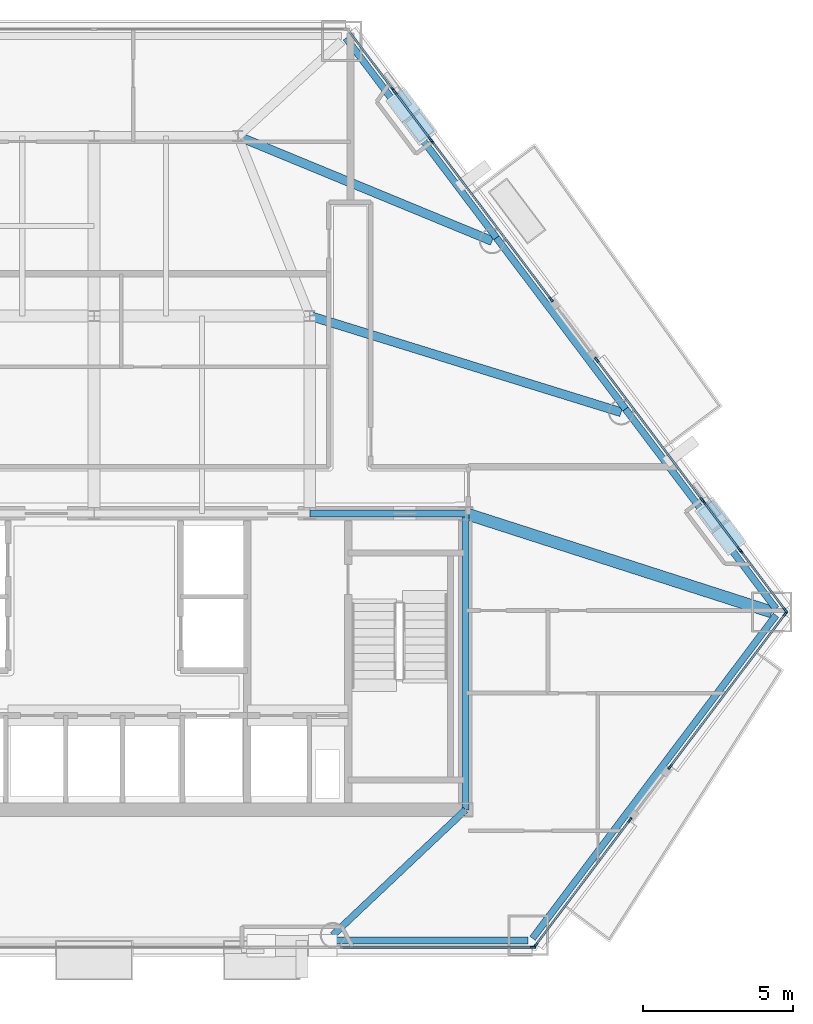
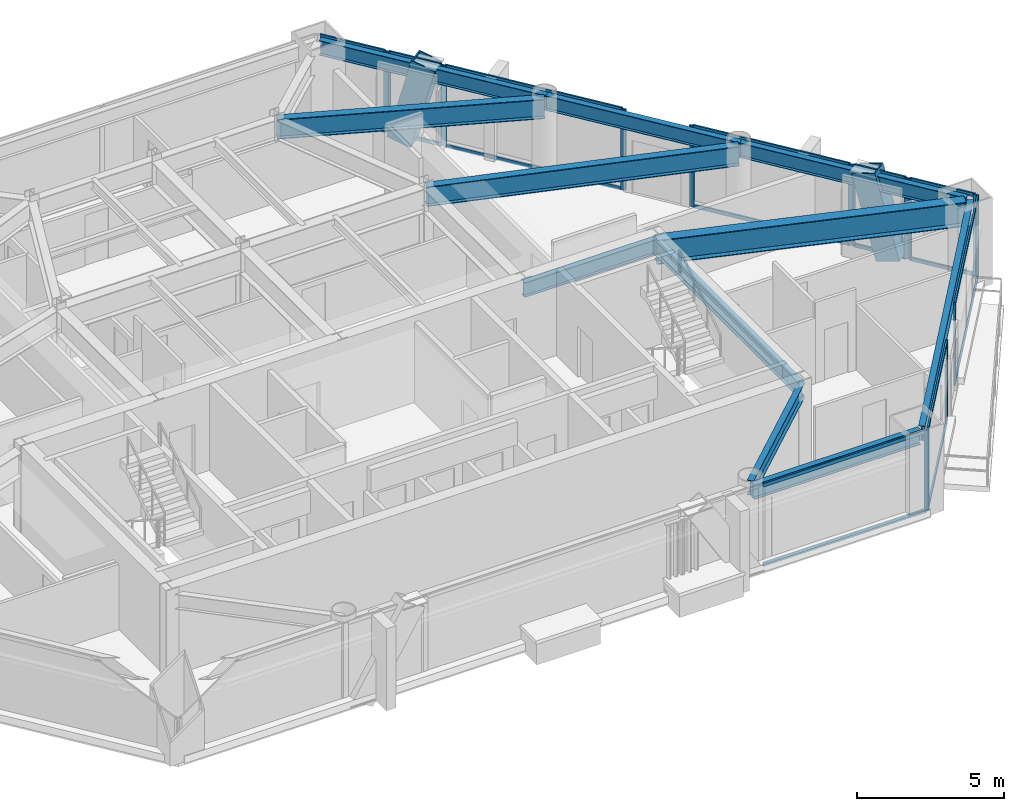
# One storey, part 4 of 11: 36 members, 11 beams, 9 elements without a shape of their own.
"""IFC4 building model written with IfcOpenShell, lengths in metres."""

from ifc_helpers import new_model, si_unit, direction, frame, origin, origin_2d, place, context, subcontext, project, spatial, rectangle, hollow_rectangle, i_section, extrude, material, layer, layer_set, material_profile, profile_set, type_object, element, aggregate, save


model = new_model("IFC4")

# Units and contexts
model_context = context("Model", 3, precision=1e-05, world=origin(), true_north=direction((0.0, 1.0)))
body_context = subcontext(model_context, "Body", "Model", "MODEL_VIEW")
ifc_project = project(units=[si_unit("LENGTHUNIT", "METRE"), si_unit("AREAUNIT", "SQUARE_METRE"), si_unit("VOLUMEUNIT", "CUBIC_METRE"), si_unit("PLANEANGLEUNIT", "RADIAN"), si_unit("MASSUNIT", "GRAM", prefix="KILO")], contexts=[model_context])

# Site, building, storey
site_placement = place(None, origin())
site = spatial("IfcSite", under=ifc_project, at=site_placement, CompositionType="ELEMENT")
building_placement = place(site_placement, origin())
building = spatial("IfcBuilding", under=site, at=building_placement, Name="Talgorran Terracotta Tower", CompositionType="ELEMENT")
storey_placement = place(building_placement, frame((0.0, 0.0, 27.89990234375)))
storey = spatial("IfcBuildingStorey", under=building, at=storey_placement, Name="L06", CompositionType="ELEMENT", Elevation=27.89990234375)

# Beams
ifc_material_1 = material(Name="Steel Grade 350 (350L0)", Category="steel")
ifc_material_profile_1 = material_profile(ifc_material_1, i_section(OverallWidth=0.39990234375, OverallDepth=1.0, WebThickness=0.01611328125, FlangeThickness=0.031005859375, at=origin_2d()), Name="1000WB296")
ifc_profile_set_1 = profile_set([ifc_material_profile_1], Name="Steel Grade 350 (350L0)")
beam_type_1 = type_object("IfcBeamType", Name="BM_1000WB296", PredefinedType="BEAM", material=ifc_profile_set_1)
beam_1_placement = place(storey_placement, frame((12.39990234375, -4.199951171875, 2.85009765625), z_axis=(0.951935828117, -0.306297533694, 0.0), x_axis=(0.306297533694, 0.951935828117, 0.0)))
element("IfcBeam", 1, at=beam_1_placement, inside=storey, type_object=beam_type_1, Name="L06 Floor Girder G18", PredefinedType="BEAM", context=body_context, shape_type="SweptSolid", body=[
    extrude(i_section(OverallWidth=0.39990234375, OverallDepth=1.0, WebThickness=0.01611328125, FlangeThickness=0.031005859375, at=origin_2d()), origin(), (0.0, 0.0, 1.0), 10.742919921875),
])
ifc_material_2 = material(Name="Steel S355 (300PLUS)", Category="steel")
ifc_material_profile_2 = material_profile(ifc_material_2, i_section(OverallWidth=0.300048828125, OverallDepth=0.81591796875, WebThickness=0.013916015625, FlangeThickness=0.028076171875, at=origin_2d()), Name="800WB192")
ifc_profile_set_2 = profile_set([ifc_material_profile_2], Name="Steel S355 (300PLUS)")
beam_type_2 = type_object("IfcBeamType", Name="BM_800WB192", PredefinedType="BEAM", material=ifc_profile_set_2)
beam_2_placement = place(storey_placement, frame((7.199951171875, 2.39990234375, 2.942138671875), z_axis=(0.955282572472, -0.295694448259, 0.0), x_axis=(0.295694448259, 0.955282572472, 0.0)))
element("IfcBeam", 2, at=beam_2_placement, inside=storey, type_object=beam_type_2, Name="L06 Floor Girder G07", PredefinedType="BEAM", context=body_context, shape_type="SweptSolid", body=[
    extrude(i_section(OverallWidth=0.300048828125, OverallDepth=0.81591796875, WebThickness=0.013916015625, FlangeThickness=0.028076171875, at=origin_2d()), origin(), (0.0, 0.0, 1.0), 10.88623046875),
])
beam_3_placement = place(storey_placement, frame((4.800048828125, 8.39990234375, 2.942138671875), z_axis=(0.924495756371, -0.381192335249, 0.0), x_axis=(0.381192335249, 0.924495756371, 0.0)))
element("IfcBeam", 3, at=beam_3_placement, inside=storey, type_object=beam_type_2, Name="L06 Floor Girder G14", PredefinedType="BEAM", context=body_context, shape_type="SweptSolid", body=[
    extrude(i_section(OverallWidth=0.300048828125, OverallDepth=0.81591796875, WebThickness=0.013916015625, FlangeThickness=0.028076171875, at=origin_2d()), origin(), (0.0, 0.0, 1.0), 9.18359375),
])
ifc_material_profile_3 = material_profile(ifc_material_2, i_section(OverallWidth=0.22900390625, OverallDepth=0.611572265625, WebThickness=0.011962890625, FlangeThickness=0.01953125, at=origin_2d()), Name="610UB125")
ifc_profile_set_3 = profile_set([ifc_material_profile_3], Name="Steel S355 (300PLUS)")
beam_type_3 = type_object("IfcBeamType", Name="BM_SP_610UB125", PredefinedType="SPANDREL", material=ifc_profile_set_3)
beam_4_placement = place(storey_placement, frame((7.97265625, -18.4599609375, 3.044189453125), z_axis=(1.0, 0.0, 0.0), x_axis=(0.0, 1.0, 0.0)))
element("IfcBeam", 4, at=beam_4_placement, inside=storey, type_object=beam_type_3, Name="L06 Perimeter Spandrel Beam FC2-MC3", PredefinedType="SPANDREL", context=body_context, shape_type="SweptSolid", body=[
    extrude(i_section(OverallWidth=0.22900390625, OverallDepth=0.611572265625, WebThickness=0.011962890625, FlangeThickness=0.01953125, at=origin_2d()), origin(), (0.0, 0.0, 1.0), 6.523193359375),
])
beam_5_placement = place(storey_placement, frame((14.6396484375, -18.38818359375, 3.044189453125), z_axis=(0.601820005964, 0.798631755205, 0.0), x_axis=(-0.798631755205, 0.601820005964, 0.0)))
element("IfcBeam", 5, at=beam_5_placement, inside=storey, type_object=beam_type_3, Name="L06 Perimeter Spandrel Beam MC3-MC4", PredefinedType="SPANDREL", context=body_context, shape_type="SweptSolid", body=[
    extrude(i_section(OverallWidth=0.22900390625, OverallDepth=0.611572265625, WebThickness=0.011962890625, FlangeThickness=0.01953125, at=origin_2d()), origin(), (0.0, 0.0, 1.0), 13.510009765625),
])
beam_6_placement = place(storey_placement, frame((22.770263671875, -7.382080078125, 3.044189453125), z_axis=(-0.601803503312, 0.798644190739, 0.0), x_axis=(-0.798644190739, -0.601803503312, 0.0)))
element("IfcBeam", 6, at=beam_6_placement, inside=storey, type_object=beam_type_3, Name="L06 Perimeter Spandrel Beam MC4-FC3", PredefinedType="SPANDREL", context=body_context, shape_type="SweptSolid", body=[
    extrude(i_section(OverallWidth=0.22900390625, OverallDepth=0.611572265625, WebThickness=0.011962890625, FlangeThickness=0.01953125, at=origin_2d()), origin(), (0.0, 0.0, 1.0), 8.353271484375),
])
beam_7_placement = place(storey_placement, frame((17.7431640625, -0.710693359375, 3.044189453125), z_axis=(-0.601837001902, 0.798618947397, 0.0), x_axis=(-0.798618947397, -0.601837001902, 0.0)))
element("IfcBeam", 7, at=beam_7_placement, inside=storey, type_object=beam_type_3, Name="L06 Perimeter Spandrel Beam FC3-FC4", PredefinedType="SPANDREL", context=body_context, shape_type="SweptSolid", body=[
    extrude(i_section(OverallWidth=0.22900390625, OverallDepth=0.611572265625, WebThickness=0.011962890625, FlangeThickness=0.01953125, at=origin_2d()), origin(), (0.0, 0.0, 1.0), 7.159912109375),
])
beam_8_placement = place(storey_placement, frame((13.43408203125, 5.00732421875, 3.044189453125), z_axis=(-0.601803503312, 0.798644190739, 0.0), x_axis=(-0.798644190739, -0.601803503312, 0.0)))
element("IfcBeam", 8, at=beam_8_placement, inside=storey, type_object=beam_type_3, Name="L06 Perimeter Spandrel Beam FC4-MC5", PredefinedType="SPANDREL", context=body_context, shape_type="SweptSolid", body=[
    extrude(i_section(OverallWidth=0.22900390625, OverallDepth=0.611572265625, WebThickness=0.011962890625, FlangeThickness=0.01953125, at=origin_2d()), origin(), (0.0, 0.0, 1.0), 8.353271484375),
])
beam_9_placement = place(storey_placement, frame((12.39990234375, -14.10009765625, 3.044189453125), z_axis=(-0.727124342691, -0.686505783126, 0.0), x_axis=(0.686505783126, -0.727124342691, 0.0)))
element("IfcBeam", 9, at=beam_9_placement, inside=storey, type_object=beam_type_3, Name="L06 South-East Core Tie Beam", PredefinedType="SPANDREL", context=body_context, shape_type="SweptSolid", body=[
    extrude(i_section(OverallWidth=0.22900390625, OverallDepth=0.611572265625, WebThickness=0.011962890625, FlangeThickness=0.01953125, at=origin_2d()), origin(), (0.0, 0.0, 1.0), 6.088623046875),
])
beam_10_placement = place(storey_placement, frame((12.39990234375, -14.10009765625, 3.044189453125), z_axis=(0.0, 1.0, 0.0), x_axis=(-1.0, 0.0, 0.0)))
element("IfcBeam", 10, at=beam_10_placement, inside=storey, type_object=beam_type_3, Name="L06 Core Frame Beam CFE", PredefinedType="SPANDREL", context=body_context, shape_type="SweptSolid", body=[
    extrude(i_section(OverallWidth=0.22900390625, OverallDepth=0.611572265625, WebThickness=0.011962890625, FlangeThickness=0.01953125, at=origin_2d()), origin(), (0.0, 0.0, 1.0), 9.900146484375),
])
beam_11_placement = place(storey_placement, frame((7.199951171875, -4.199951171875, 3.044189453125), z_axis=(1.0, 0.0, 0.0), x_axis=(0.0, 1.0, 0.0)))
element("IfcBeam", 11, at=beam_11_placement, inside=storey, type_object=beam_type_3, Name="L06 Core Frame Beam CFN4", PredefinedType="SPANDREL", context=body_context, shape_type="SweptSolid", body=[
    extrude(i_section(OverallWidth=0.22900390625, OverallDepth=0.611572265625, WebThickness=0.011962890625, FlangeThickness=0.01953125, at=origin_2d()), origin(), (0.0, 0.0, 1.0), 5.199951171875),
])

# Members
ifc_material_profile_4 = material_profile(ifc_material_1, hollow_rectangle(XDim=0.699951171875, YDim=0.89990234375, WallThickness=0.050048828125, at=origin_2d()), Name="WBOX900X700X50")
ifc_profile_set_4 = profile_set([ifc_material_profile_4], Name="Steel Grade 350 (350L0)")
member_type_1 = type_object("IfcMemberType", Name="MB_MEGA_900", PredefinedType="BRACE", material=ifc_profile_set_4)
for number, where, z_axis, x_axis, name in (
    (12, (21.189453125, -4.985107421875, -0.02490234375), (-0.153970521354, 0.204299028109, 0.966723841471), (-0.79859763006, -0.601865288302, 0.0), "L06 Exterior Face Mega-Brace MB-1 (NEL)"),
    (13, (10.33056640625, 9.425048828125, -0.02490234375), (0.153970521354, -0.204299028109, 0.966723841471), (0.79859763006, 0.601865288302, 0.0), "L06 Exterior Face Mega-Brace MB-1 (NEU)"),
):
    element("IfcMember", number, at=place(storey_placement, frame(where, z_axis=z_axis, x_axis=x_axis)), inside=storey, type_object=member_type_1, Name=name, PredefinedType="BRACE", context=body_context, shape_type="SweptSolid", body=[
        extrude(hollow_rectangle(XDim=0.699951171875, YDim=0.89990234375, WallThickness=0.050048828125, at=origin_2d()), origin(), (0.0, 0.0, 1.0), 3.516845703125),
    ])

# Curtain wall, member
ifc_material_3 = material(Name="Unitised Low-E Double Glazing", Category="glass")
ifc_layer = layer(ifc_material_3, 0.199951171875, Name="CW_SYS2_RES_LOW")
ifc_layer_set = layer_set([ifc_layer], Name="Unitised Low-E Double Glazing")
curtain_wall_type = type_object("IfcCurtainWallType", Name="CW_SYS2_RES_LOW", PredefinedType="NOTDEFINED", material=ifc_layer_set)
curtain_wall_1_placement = place(storey_placement, origin())
curtain_wall_1 = element("IfcCurtainWall", 14, at=curtain_wall_1_placement, inside=storey, type_object=curtain_wall_type, Name="CW-L06-F1E", PredefinedType="NOTDEFINED")
ifc_material_4 = material(Name="Architectural Aluminium 6063-T6", Category="aluminium")
ifc_material_profile_5 = material_profile(ifc_material_4, rectangle(XDim=0.06494140625, YDim=0.18505859375, at=origin_2d()), Name="CWM65X185")
ifc_profile_set_5 = profile_set([ifc_material_profile_5], Name="Architectural Aluminium 6063-T6")
member_type_2 = type_object("IfcMemberType", Name="MUL_65X185", PredefinedType="MULLION", material=ifc_profile_set_5)
member_1_placement = place(storey_placement, frame((14.662841796875, -18.679931640625, 0.0), z_axis=(0.0, 0.0, 1.0), x_axis=(0.0, 1.0, 0.0)))
member_1 = element("IfcMember", 15, at=member_1_placement, type_object=member_type_2, Name="CW-L06-1E mullion 2", PredefinedType="MULLION", context=body_context, shape_type="SweptSolid", body=[
    extrude(rectangle(XDim=0.06494140625, YDim=0.18505859375, at=origin_2d()), origin(), (0.0, 0.0, 1.0), 3.35009765625),
])

# Curtain wall, members
curtain_wall_2_placement = place(storey_placement, origin())
curtain_wall_2 = element("IfcCurtainWall", 16, at=curtain_wall_2_placement, inside=storey, type_object=curtain_wall_type, Name="CW-L06-F30", PredefinedType="NOTDEFINED")
member_2_placement = place(storey_placement, frame((14.739013671875, -18.6220703125, 0.0), z_axis=(0.0, 0.0, 1.0), x_axis=(-0.798642595168, 0.601805620764, 0.0)))
member_2 = element("IfcMember", 17, at=member_2_placement, type_object=member_type_2, Name="CW-L06-30 mullion 1", PredefinedType="MULLION", context=body_context, shape_type="SweptSolid", body=[
    extrude(rectangle(XDim=0.06494140625, YDim=0.18505859375, at=origin_2d()), origin(), (0.0, 0.0, 1.0), 3.35009765625),
])
member_3_placement = place(storey_placement, frame((17.8916015625, -14.4384765625, 0.0), z_axis=(0.0, 0.0, 1.0), x_axis=(-0.798642595168, 0.601805620764, 0.0)))
member_3 = element("IfcMember", 18, at=member_3_placement, type_object=member_type_2, Name="CW-L06-30 mullion 2", PredefinedType="MULLION", context=body_context, shape_type="SweptSolid", body=[
    extrude(rectangle(XDim=0.06494140625, YDim=0.18505859375, at=origin_2d()), origin(), (0.0, 0.0, 1.0), 3.35009765625),
])

curtain_wall_3_placement = place(storey_placement, origin())
curtain_wall_3 = element("IfcCurtainWall", 19, at=curtain_wall_3_placement, inside=storey, type_object=curtain_wall_type, Name="CW-L06-F31", PredefinedType="NOTDEFINED")
member_4_placement = place(storey_placement, frame((19.23046875, -12.66162109375, 0.0), z_axis=(0.0, 0.0, 1.0), x_axis=(-0.798639774185, 0.601809364408, 0.0)))
member_4 = element("IfcMember", 20, at=member_4_placement, type_object=member_type_2, Name="CW-L06-31 mullion 1", PredefinedType="MULLION", context=body_context, shape_type="SweptSolid", body=[
    extrude(rectangle(XDim=0.06494140625, YDim=0.18505859375, at=origin_2d()), origin(), (0.0, 0.0, 1.0), 3.35009765625),
])
member_5_placement = place(storey_placement, frame((23.083740234375, -7.54833984375, 0.0), z_axis=(0.0, 0.0, 1.0), x_axis=(-0.798639774185, 0.601809364408, 0.0)))
member_5 = element("IfcMember", 21, at=member_5_placement, type_object=member_type_2, Name="CW-L06-31 mullion 2", PredefinedType="MULLION", context=body_context, shape_type="SweptSolid", body=[
    extrude(rectangle(XDim=0.06494140625, YDim=0.18505859375, at=origin_2d()), origin(), (0.0, 0.0, 1.0), 3.35009765625),
])

curtain_wall_4_placement = place(storey_placement, origin())
curtain_wall_4 = element("IfcCurtainWall", 22, at=curtain_wall_4_placement, inside=storey, type_object=curtain_wall_type, Name="CW-L06-F40", PredefinedType="NOTDEFINED")
member_6_placement = place(storey_placement, frame((23.083740234375, -7.4326171875, 0.0), z_axis=(0.0, 0.0, 1.0), x_axis=(-0.79864521262, -0.601802147187, 0.0)))
member_6 = element("IfcMember", 23, at=member_6_placement, type_object=member_type_2, Name="CW-L06-40 mullion 1", PredefinedType="MULLION", context=body_context, shape_type="SweptSolid", body=[
    extrude(rectangle(XDim=0.06494140625, YDim=0.18505859375, at=origin_2d()), origin(), (0.0, 0.0, 1.0), 3.35009765625),
])
member_7_placement = place(storey_placement, frame((21.595947265625, -5.458251953125, 0.0), z_axis=(0.0, 0.0, 1.0), x_axis=(-0.79864521262, -0.601802147187, 0.0)))
member_7 = element("IfcMember", 24, at=member_7_placement, type_object=member_type_2, Name="CW-L06-40 mullion 2", PredefinedType="MULLION", context=body_context, shape_type="SweptSolid", body=[
    extrude(rectangle(XDim=0.06494140625, YDim=0.18505859375, at=origin_2d()), origin(), (0.0, 0.0, 1.0), 3.35009765625),
])

curtain_wall_5_placement = place(storey_placement, origin())
curtain_wall_5 = element("IfcCurtainWall", 25, at=curtain_wall_5_placement, inside=storey, type_object=curtain_wall_type, Name="CW-L06-F40B", PredefinedType="NOTDEFINED")
member_8_placement = place(storey_placement, frame((21.55078125, -5.3984375, 0.0), z_axis=(0.0, 0.0, 1.0), x_axis=(-0.798628922675, -0.601823764791, 0.0)))
member_8 = element("IfcMember", 26, at=member_8_placement, type_object=member_type_2, Name="CW-L06-40B mullion 1", PredefinedType="MULLION", context=body_context, shape_type="SweptSolid", body=[
    extrude(rectangle(XDim=0.06494140625, YDim=0.18505859375, at=origin_2d()), origin(), (0.0, 0.0, 1.0), 3.35009765625),
])
member_9_placement = place(storey_placement, frame((20.350341796875, -3.80517578125, 0.0), z_axis=(0.0, 0.0, 1.0), x_axis=(-0.798628922675, -0.601823764791, 0.0)))
member_9 = element("IfcMember", 27, at=member_9_placement, type_object=member_type_2, Name="CW-L06-40B mullion 2", PredefinedType="MULLION", context=body_context, shape_type="SweptSolid", body=[
    extrude(rectangle(XDim=0.06494140625, YDim=0.18505859375, at=origin_2d()), origin(), (0.0, 0.0, 1.0), 3.35009765625),
])

curtain_wall_6_placement = place(storey_placement, origin())
curtain_wall_6 = element("IfcCurtainWall", 28, at=curtain_wall_6_placement, inside=storey, type_object=curtain_wall_type, Name="CW-L06-F40C", PredefinedType="NOTDEFINED")
member_10_placement = place(storey_placement, frame((20.30517578125, -3.745361328125, 0.0), z_axis=(0.0, 0.0, 1.0), x_axis=(-0.798642948926, -0.6018051513, 0.0)))
member_10 = element("IfcMember", 29, at=member_10_placement, type_object=member_type_2, Name="CW-L06-40C mullion 1", PredefinedType="MULLION", context=body_context, shape_type="SweptSolid", body=[
    extrude(rectangle(XDim=0.06494140625, YDim=0.18505859375, at=origin_2d()), origin(), (0.0, 0.0, 1.0), 3.35009765625),
])
member_11_placement = place(storey_placement, frame((16.77880859375, 0.9345703125, 0.0), z_axis=(0.0, 0.0, 1.0), x_axis=(-0.798642948926, -0.6018051513, 0.0)))
member_11 = element("IfcMember", 30, at=member_11_placement, type_object=member_type_2, Name="CW-L06-40C mullion 2", PredefinedType="MULLION", context=body_context, shape_type="SweptSolid", body=[
    extrude(rectangle(XDim=0.06494140625, YDim=0.18505859375, at=origin_2d()), origin(), (0.0, 0.0, 1.0), 3.35009765625),
])

curtain_wall_7_placement = place(storey_placement, origin())
curtain_wall_7 = element("IfcCurtainWall", 31, at=curtain_wall_7_placement, inside=storey, type_object=curtain_wall_type, Name="CW-L06-F41", PredefinedType="NOTDEFINED")
member_12_placement = place(storey_placement, frame((15.259033203125, 2.951171875, 0.0), z_axis=(0.0, 0.0, 1.0), x_axis=(-0.798641509201, -0.601807061924, 0.0)))
member_12 = element("IfcMember", 32, at=member_12_placement, type_object=member_type_2, Name="CW-L06-41 mullion 1", PredefinedType="MULLION", context=body_context, shape_type="SweptSolid", body=[
    extrude(rectangle(XDim=0.06494140625, YDim=0.18505859375, at=origin_2d()), origin(), (0.0, 0.0, 1.0), 3.35009765625),
])
member_13_placement = place(storey_placement, frame((11.278564453125, 8.2333984375, 0.0), z_axis=(0.0, 0.0, 1.0), x_axis=(-0.798641509201, -0.601807061924, 0.0)))
member_13 = element("IfcMember", 33, at=member_13_placement, type_object=member_type_2, Name="CW-L06-41 mullion 2", PredefinedType="MULLION", context=body_context, shape_type="SweptSolid", body=[
    extrude(rectangle(XDim=0.06494140625, YDim=0.18505859375, at=origin_2d()), origin(), (0.0, 0.0, 1.0), 3.35009765625),
])

curtain_wall_8_placement = place(storey_placement, origin())
curtain_wall_8 = element("IfcCurtainWall", 34, at=curtain_wall_8_placement, inside=storey, type_object=curtain_wall_type, Name="CW-L06-F41B", PredefinedType="NOTDEFINED")
member_14_placement = place(storey_placement, frame((11.233642578125, 8.29345703125, 0.0), z_axis=(0.0, 0.0, 1.0), x_axis=(-0.798611338721, -0.601847098245, 0.0)))
member_14 = element("IfcMember", 35, at=member_14_placement, type_object=member_type_2, Name="CW-L06-41B mullion 1", PredefinedType="MULLION", context=body_context, shape_type="SweptSolid", body=[
    extrude(rectangle(XDim=0.06494140625, YDim=0.18505859375, at=origin_2d()), origin(), (0.0, 0.0, 1.0), 3.35009765625),
])
member_15_placement = place(storey_placement, frame((10.032958984375, 9.886474609375, 0.0), z_axis=(0.0, 0.0, 1.0), x_axis=(-0.798611338721, -0.601847098245, 0.0)))
member_15 = element("IfcMember", 36, at=member_15_placement, type_object=member_type_2, Name="CW-L06-41B mullion 2", PredefinedType="MULLION", context=body_context, shape_type="SweptSolid", body=[
    extrude(rectangle(XDim=0.06494140625, YDim=0.18505859375, at=origin_2d()), origin(), (0.0, 0.0, 1.0), 3.35009765625),
])

# Curtain wall, member
curtain_wall_9_placement = place(storey_placement, origin())
curtain_wall_9 = element("IfcCurtainWall", 37, at=curtain_wall_9_placement, inside=storey, type_object=curtain_wall_type, Name="CW-L06-F41C", PredefinedType="NOTDEFINED")
member_16_placement = place(storey_placement, frame((9.98779296875, 9.9462890625, 0.0), z_axis=(0.0, 0.0, 1.0), x_axis=(-0.798644531105, -0.601803051618, 0.0)))
member_16 = element("IfcMember", 38, at=member_16_placement, type_object=member_type_2, Name="CW-L06-41C mullion 1", PredefinedType="MULLION", context=body_context, shape_type="SweptSolid", body=[
    extrude(rectangle(XDim=0.06494140625, YDim=0.18505859375, at=origin_2d()), origin(), (0.0, 0.0, 1.0), 3.35009765625),
])

# Member
ifc_material_profile_6 = material_profile(ifc_material_4, rectangle(XDim=0.06494140625, YDim=0.14990234375, at=origin_2d()), Name="CWT65X150")
ifc_profile_set_6 = profile_set([ifc_material_profile_6], Name="Architectural Aluminium 6063-T6")
member_type_3 = type_object("IfcMemberType", Name="TRN_65X150", PredefinedType="USERDEFINED", material=ifc_profile_set_6)
member_17_placement = place(storey_placement, frame((8.236328125, -18.679931640625, 0.03271484375), z_axis=(1.0, 0.0, 0.0), x_axis=(0.0, 1.0, 0.0)))
member_17 = element("IfcMember", 39, at=member_17_placement, type_object=member_type_3, Name="CW-L06-1E transom 1.1", ObjectType="TRANSOM", PredefinedType="USERDEFINED", context=body_context, shape_type="SweptSolid", body=[
    extrude(rectangle(XDim=0.06494140625, YDim=0.14990234375, at=origin_2d()), origin(), (0.0, 0.0, 1.0), 6.39404296875),
])

member_18_placement = place(storey_placement, frame((8.236328125, -18.679931640625, 3.317626953125), z_axis=(1.0, 0.0, 0.0), x_axis=(0.0, 1.0, 0.0)))
member_18 = element("IfcMember", 40, at=member_18_placement, type_object=member_type_3, Name="CW-L06-1E transom 1.2", ObjectType="TRANSOM", PredefinedType="USERDEFINED", context=body_context, shape_type="SweptSolid", body=[
    extrude(rectangle(XDim=0.06494140625, YDim=0.14990234375, at=origin_2d()), origin(), (0.0, 0.0, 1.0), 6.39404296875),
])

aggregate(curtain_wall_1, [member_1, member_17, member_18])

member_19_placement = place(storey_placement, frame((14.758544921875, -18.59619140625, 0.03271484375), z_axis=(0.601833227551, 0.798621791723, 0.0), x_axis=(-0.798621791723, 0.601833227551, 0.0)))
member_19 = element("IfcMember", 41, at=member_19_placement, type_object=member_type_3, Name="CW-L06-30 transom 1.1", ObjectType="TRANSOM", PredefinedType="USERDEFINED", context=body_context, shape_type="SweptSolid", body=[
    extrude(rectangle(XDim=0.06494140625, YDim=0.14990234375, at=origin_2d()), origin(), (0.0, 0.0, 1.0), 5.17333984375),
])

member_20_placement = place(storey_placement, frame((14.758544921875, -18.59619140625, 3.317626953125), z_axis=(0.601833227551, 0.798621791723, 0.0), x_axis=(-0.798621791723, 0.601833227551, 0.0)))
member_20 = element("IfcMember", 42, at=member_20_placement, type_object=member_type_3, Name="CW-L06-30 transom 1.2", ObjectType="TRANSOM", PredefinedType="USERDEFINED", context=body_context, shape_type="SweptSolid", body=[
    extrude(rectangle(XDim=0.06494140625, YDim=0.14990234375, at=origin_2d()), origin(), (0.0, 0.0, 1.0), 5.17333984375),
])

aggregate(curtain_wall_2, [member_2, member_3, member_19, member_20])

member_21_placement = place(storey_placement, frame((19.25, -12.635498046875, 0.03271484375), z_axis=(0.601816767388, 0.798634195668, 0.0), x_axis=(-0.798634195668, 0.601816767388, 0.0)))
member_21 = element("IfcMember", 43, at=member_21_placement, type_object=member_type_3, Name="CW-L06-31 transom 1.1", ObjectType="TRANSOM", PredefinedType="USERDEFINED", context=body_context, shape_type="SweptSolid", body=[
    extrude(rectangle(XDim=0.06494140625, YDim=0.14990234375, at=origin_2d()), origin(), (0.0, 0.0, 1.0), 6.33740234375),
])

member_22_placement = place(storey_placement, frame((19.25, -12.635498046875, 3.317626953125), z_axis=(0.601816767388, 0.798634195668, 0.0), x_axis=(-0.798634195668, 0.601816767388, 0.0)))
member_22 = element("IfcMember", 44, at=member_22_placement, type_object=member_type_3, Name="CW-L06-31 transom 1.2", ObjectType="TRANSOM", PredefinedType="USERDEFINED", context=body_context, shape_type="SweptSolid", body=[
    extrude(rectangle(XDim=0.06494140625, YDim=0.14990234375, at=origin_2d()), origin(), (0.0, 0.0, 1.0), 6.33740234375),
])

aggregate(curtain_wall_3, [member_4, member_5, member_21, member_22])

member_23_placement = place(storey_placement, frame((23.06396484375, -7.406494140625, 0.03271484375), z_axis=(-0.601783672642, 0.798659133386, 0.0), x_axis=(-0.798659133386, -0.601783672642, 0.0)))
member_23 = element("IfcMember", 45, at=member_23_placement, type_object=member_type_3, Name="CW-L06-40 transom 1.1", ObjectType="TRANSOM", PredefinedType="USERDEFINED", context=body_context, shape_type="SweptSolid", body=[
    extrude(rectangle(XDim=0.06494140625, YDim=0.14990234375, at=origin_2d()), origin(), (0.0, 0.0, 1.0), 2.406982421875),
])

member_24_placement = place(storey_placement, frame((23.06396484375, -7.406494140625, 3.317626953125), z_axis=(-0.601783672642, 0.798659133386, 0.0), x_axis=(-0.798659133386, -0.601783672642, 0.0)))
member_24 = element("IfcMember", 46, at=member_24_placement, type_object=member_type_3, Name="CW-L06-40 transom 1.2", ObjectType="TRANSOM", PredefinedType="USERDEFINED", context=body_context, shape_type="SweptSolid", body=[
    extrude(rectangle(XDim=0.06494140625, YDim=0.14990234375, at=origin_2d()), origin(), (0.0, 0.0, 1.0), 2.406982421875),
])

aggregate(curtain_wall_4, [member_6, member_7, member_23, member_24])

member_25_placement = place(storey_placement, frame((21.53125, -5.372314453125, 0.03271484375), z_axis=(-0.601799956866, 0.798646863085, 0.0), x_axis=(-0.798646863085, -0.601799956866, 0.0)))
member_25 = element("IfcMember", 47, at=member_25_placement, type_object=member_type_3, Name="CW-L06-40B transom 1.1", ObjectType="TRANSOM", PredefinedType="USERDEFINED", context=body_context, shape_type="SweptSolid", body=[
    extrude(rectangle(XDim=0.06494140625, YDim=0.14990234375, at=origin_2d()), origin(), (0.0, 0.0, 1.0), 1.929931640625),
])

member_26_placement = place(storey_placement, frame((21.53125, -5.372314453125, 3.317626953125), z_axis=(-0.601799956866, 0.798646863085, 0.0), x_axis=(-0.798646863085, -0.601799956866, 0.0)))
member_26 = element("IfcMember", 48, at=member_26_placement, type_object=member_type_3, Name="CW-L06-40B transom 1.2", ObjectType="TRANSOM", PredefinedType="USERDEFINED", context=body_context, shape_type="SweptSolid", body=[
    extrude(rectangle(XDim=0.06494140625, YDim=0.14990234375, at=origin_2d()), origin(), (0.0, 0.0, 1.0), 1.929931640625),
])

aggregate(curtain_wall_5, [member_8, member_9, member_25, member_26])

member_27_placement = place(storey_placement, frame((20.28564453125, -3.71923828125, 0.03271484375), z_axis=(-0.601805064973, 0.798643013976, 0.0), x_axis=(-0.798643013976, -0.601805064973, 0.0)))
member_27 = element("IfcMember", 49, at=member_27_placement, type_object=member_type_3, Name="CW-L06-40C transom 1.1", ObjectType="TRANSOM", PredefinedType="USERDEFINED", context=body_context, shape_type="SweptSolid", body=[
    extrude(rectangle(XDim=0.06494140625, YDim=0.14990234375, at=origin_2d()), origin(), (0.0, 0.0, 1.0), 5.794677734375),
])

member_28_placement = place(storey_placement, frame((20.28564453125, -3.71923828125, 3.317626953125), z_axis=(-0.601805064973, 0.798643013976, 0.0), x_axis=(-0.798643013976, -0.601805064973, 0.0)))
member_28 = element("IfcMember", 50, at=member_28_placement, type_object=member_type_3, Name="CW-L06-40C transom 1.2", ObjectType="TRANSOM", PredefinedType="USERDEFINED", context=body_context, shape_type="SweptSolid", body=[
    extrude(rectangle(XDim=0.06494140625, YDim=0.14990234375, at=origin_2d()), origin(), (0.0, 0.0, 1.0), 5.794677734375),
])

aggregate(curtain_wall_6, [member_10, member_11, member_27, member_28])

member_29_placement = place(storey_placement, frame((15.239501953125, 2.97705078125, 0.03271484375), z_axis=(-0.601811647621, 0.798638053681, 0.0), x_axis=(-0.798638053681, -0.601811647621, 0.0)))
member_29 = element("IfcMember", 51, at=member_29_placement, type_object=member_type_3, Name="CW-L06-41 transom 1.1", ObjectType="TRANSOM", PredefinedType="USERDEFINED", context=body_context, shape_type="SweptSolid", body=[
    extrude(rectangle(XDim=0.06494140625, YDim=0.14990234375, at=origin_2d()), origin(), (0.0, 0.0, 1.0), 6.54931640625),
])

member_30_placement = place(storey_placement, frame((15.239501953125, 2.97705078125, 3.317626953125), z_axis=(-0.601811647621, 0.798638053681, 0.0), x_axis=(-0.798638053681, -0.601811647621, 0.0)))
member_30 = element("IfcMember", 52, at=member_30_placement, type_object=member_type_3, Name="CW-L06-41 transom 1.2", ObjectType="TRANSOM", PredefinedType="USERDEFINED", context=body_context, shape_type="SweptSolid", body=[
    extrude(rectangle(XDim=0.06494140625, YDim=0.14990234375, at=origin_2d()), origin(), (0.0, 0.0, 1.0), 6.54931640625),
])

aggregate(curtain_wall_7, [member_12, member_13, member_29, member_30])

member_31_placement = place(storey_placement, frame((11.2138671875, 8.3193359375, 0.03271484375), z_axis=(-0.601799956866, 0.798646863085, 0.0), x_axis=(-0.798646863085, -0.601799956866, 0.0)))
member_31 = element("IfcMember", 53, at=member_31_placement, type_object=member_type_3, Name="CW-L06-41B transom 1.1", ObjectType="TRANSOM", PredefinedType="USERDEFINED", context=body_context, shape_type="SweptSolid", body=[
    extrude(rectangle(XDim=0.06494140625, YDim=0.14990234375, at=origin_2d()), origin(), (0.0, 0.0, 1.0), 1.929931640625),
])

member_32_placement = place(storey_placement, frame((11.2138671875, 8.3193359375, 3.317626953125), z_axis=(-0.601799956866, 0.798646863085, 0.0), x_axis=(-0.798646863085, -0.601799956866, 0.0)))
member_32 = element("IfcMember", 54, at=member_32_placement, type_object=member_type_3, Name="CW-L06-41B transom 1.2", ObjectType="TRANSOM", PredefinedType="USERDEFINED", context=body_context, shape_type="SweptSolid", body=[
    extrude(rectangle(XDim=0.06494140625, YDim=0.14990234375, at=origin_2d()), origin(), (0.0, 0.0, 1.0), 1.929931640625),
])

aggregate(curtain_wall_8, [member_14, member_15, member_31, member_32])

member_33_placement = place(storey_placement, frame((9.96826171875, 9.972412109375, 0.03271484375), z_axis=(-0.601823875366, 0.798628839349, 0.0), x_axis=(-0.798628839349, -0.601823875366, 0.0)))
member_33 = element("IfcMember", 55, at=member_33_placement, type_object=member_type_3, Name="CW-L06-41C transom 1.1", ObjectType="TRANSOM", PredefinedType="USERDEFINED", context=body_context, shape_type="SweptSolid", body=[
    extrude(rectangle(XDim=0.06494140625, YDim=0.14990234375, at=origin_2d()), origin(), (0.0, 0.0, 1.0), 2.396728515625),
])

member_34_placement = place(storey_placement, frame((9.96826171875, 9.972412109375, 3.317626953125), z_axis=(-0.601823875366, 0.798628839349, 0.0), x_axis=(-0.798628839349, -0.601823875366, 0.0)))
member_34 = element("IfcMember", 56, at=member_34_placement, type_object=member_type_3, Name="CW-L06-41C transom 1.2", ObjectType="TRANSOM", PredefinedType="USERDEFINED", context=body_context, shape_type="SweptSolid", body=[
    extrude(rectangle(XDim=0.06494140625, YDim=0.14990234375, at=origin_2d()), origin(), (0.0, 0.0, 1.0), 2.396728515625),
])

aggregate(curtain_wall_9, [member_16, member_33, member_34])

save(model, "model.ifc")
